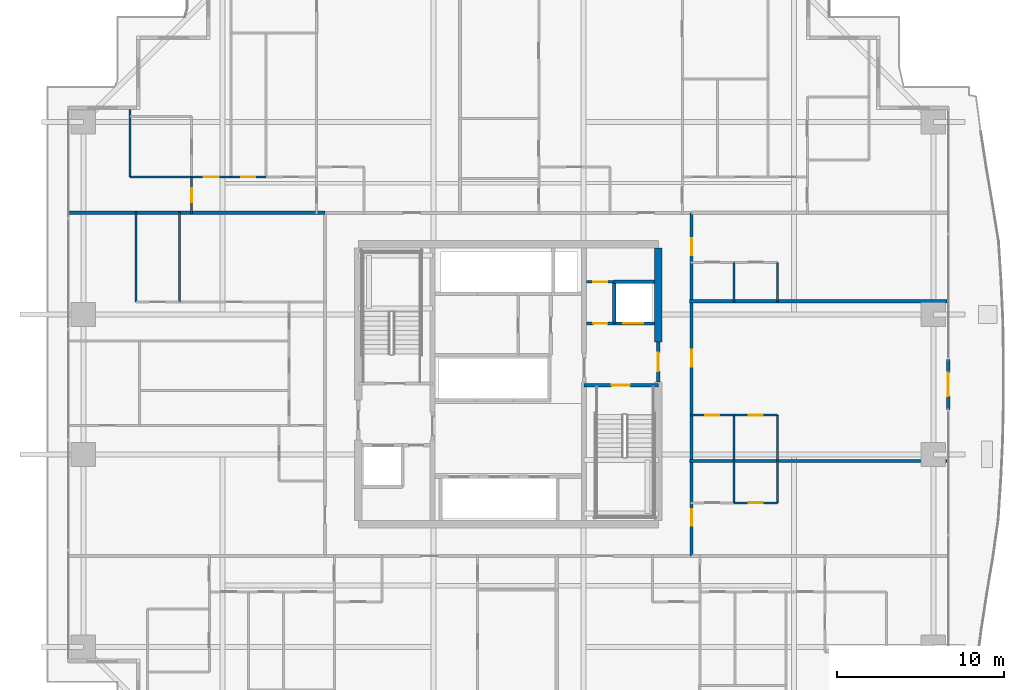
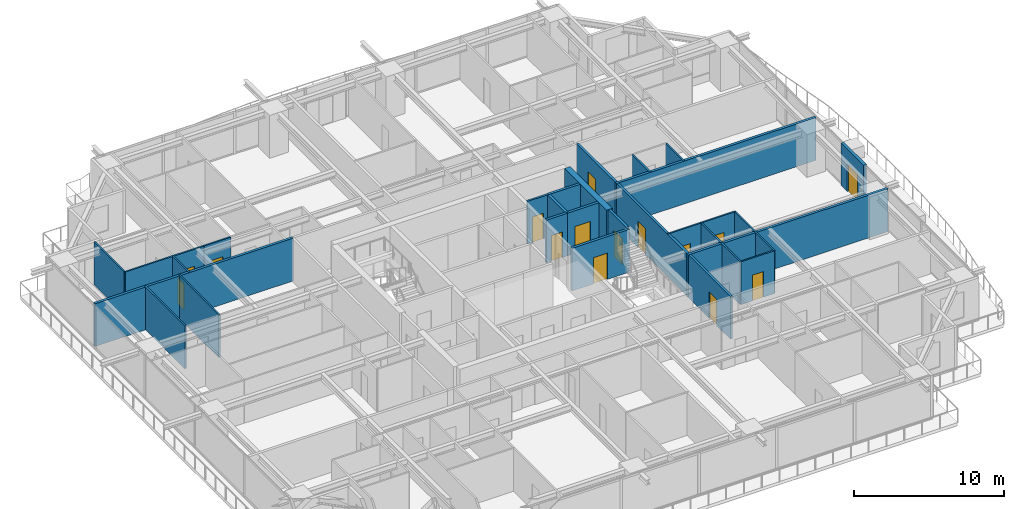
# One storey, part 30 of 38: 29 walls, 15 doors, 15 openings.
"""IFC4 building model written with IfcOpenShell, lengths in metres."""

from ifc_helpers import new_model, si_unit, direction, frame, frame_2d, origin, place, context, subcontext, project, spatial, rectangle, extrude, source, transform, mapped, material, layer, layer_set, type_object, element, fill, save


model = new_model("IFC4")

# Units and contexts
model_context = context("Model", 3, precision=1e-05, world=origin(), true_north=direction((0.0, 1.0)))
body_context = subcontext(model_context, "Body", "Model", "MODEL_VIEW")
ifc_project = project(units=[si_unit("LENGTHUNIT", "METRE"), si_unit("AREAUNIT", "SQUARE_METRE"), si_unit("VOLUMEUNIT", "CUBIC_METRE"), si_unit("PLANEANGLEUNIT", "RADIAN"), si_unit("MASSUNIT", "GRAM", prefix="KILO")], contexts=[model_context])

# Site, building, storey
site_placement = place(None, origin())
site = spatial("IfcSite", under=ifc_project, at=site_placement, CompositionType="ELEMENT")
building_placement = place(site_placement, origin())
building = spatial("IfcBuilding", under=site, at=building_placement, Name="Serunith Strait Residences", CompositionType="ELEMENT")
storey_placement = place(building_placement, frame((0.0, 0.0, 82.949951171875)))
storey = spatial("IfcBuildingStorey", under=building, at=storey_placement, Name="L20", CompositionType="ELEMENT", Elevation=82.949951171875)

# Wall, opening, door
ifc_material_1 = material(Name="Pale-Champagne Aluminium Insulated Panel", Category="aluminium")
ifc_layer_1 = layer(ifc_material_1, 0.219970703125, Name="Pale-Champagne Aluminium Insulated Panel")
ifc_layer_set_1 = layer_set([ifc_layer_1], Name="Pale-Champagne Aluminium Insulated Panel")
wall_type_1 = type_object("IfcWallType", Name="EW-ALUM-220", PredefinedType="ELEMENTEDWALL", material=ifc_layer_set_1)
wall_1_placement = place(storey_placement, frame((58.800048828125, 23.699951171875, 0.0), z_axis=(0.0, 0.0, 1.0), x_axis=(0.0, 1.0, 0.0)))
wall_1 = element("IfcWall", 1, at=wall_1_placement, inside=storey, type_object=wall_type_1, Name="L20 E Facade Pier Wall", PredefinedType="ELEMENTEDWALL", context=body_context, shape_type="SweptSolid", body=[
    extrude(rectangle(XDim=3.0, YDim=0.219970703125, at=frame_2d((1.5, 0.0))), origin(), (0.0, 0.0, 1.0), 3.47509765625),
])
opening_1_placement = place(wall_1_placement, frame((0.800048828125, 0.0, 0.0)))
opening_1 = element("IfcOpeningElement", 2, at=opening_1_placement, cuts=wall_1, Name="Opening ED-04", PredefinedType="OPENING", context=body_context, shape_type="SweptSolid", body=[
    extrude(rectangle(XDim=1.39990234375, YDim=2.25, at=frame_2d((0.699951171875, 1.125))), frame((0.0, 0.1201171875, 0.0), z_axis=(0.0, -1.0, 0.0), x_axis=(1.0, 0.0, 0.0)), (0.0, 0.0, 1.0), 0.239990234375),
])
ifc_material_2 = material(Name="Thermally-Broken Aluminium Sliding Balcony Door", Category="aluminium")
door_type_1 = type_object("IfcDoorType", Name="ED-BALC-1400", OperationType="NOTDEFINED", PredefinedType="DOOR", material=ifc_material_2)
shared_shape_1 = source(origin(), body_context, "Body", "SweptSolid", [
    extrude(rectangle(XDim=1.39990234375, YDim=2.25, at=frame_2d((0.699951171875, 1.125))), frame((0.0, 0.02490234375, 0.0), z_axis=(0.0, -1.0, 0.0), x_axis=(1.0, 0.0, 0.0)), (0.0, 0.0, 1.0), 0.050048828125),
])
door_1_placement = place(opening_1_placement, origin())
door_1 = element("IfcDoor", 3, at=door_1_placement, inside=storey, type_object=door_type_1, Name="L20 E Vertical-Forest Balcony Door", OperationType="SLIDING_TO_LEFT", OverallHeight=2.25, OverallWidth=1.39990234375, PredefinedType="DOOR", context=body_context, shape_type="MappedRepresentation", body=[
    mapped(shared_shape_1, transform((0.0, 0.0, 0.0), scale=1.0)),
])
fill(opening_1, door_1)

ifc_material_3 = material(Name="Fire-rated masonry service closet wall", Category="masonry")
ifc_layer_2 = layer(ifc_material_3, 0.14990234375, Name="Fire-rated masonry service closet wall")
ifc_layer_set_2 = layer_set([ifc_layer_2], Name="Fire-rated masonry service closet wall")
wall_type_2 = type_object("IfcWallType", Name="IW-BOH-150", PredefinedType="PARTITIONING", material=ifc_layer_set_2)
wall_2_placement = place(storey_placement, frame((37.10009765625, 31.35009765625, 0.0), z_axis=(0.0, 0.0, 1.0), x_axis=(1.0, 0.0, 0.0)))
wall_2 = element("IfcWall", 4, at=wall_2_placement, inside=storey, type_object=wall_type_2, Name="L20 Partition Wall 012", PredefinedType="PARTITIONING", context=body_context, shape_type="SweptSolid", body=[
    extrude(rectangle(XDim=1.64794921875, YDim=0.14990234375, at=frame_2d((0.823974609375, 0.0))), origin(), (0.0, 0.0, 1.0), 3.489990234375),
])
opening_2_placement = place(wall_2_placement, frame((0.39892578125, 0.0, 0.0)))
opening_2 = element("IfcOpeningElement", 5, at=opening_2_placement, cuts=wall_2, Name="Opening FD-850", PredefinedType="OPENING", context=body_context, shape_type="SweptSolid", body=[
    extrude(rectangle(XDim=0.85009765625, YDim=2.10009765625, at=frame_2d((0.425048828125, 1.050048828125))), frame((0.0, 0.0849609375, 0.0), z_axis=(0.0, -1.0, 0.0), x_axis=(1.0, 0.0, 0.0)), (0.0, 0.0, 1.0), 0.169921875),
])
ifc_material_4 = material(Name="Powder-coated steel service closet door", Category="steel")
door_type_2 = type_object("IfcDoorType", Name="FD-BOH-850", OperationType="NOTDEFINED", PredefinedType="DOOR", material=ifc_material_4)
shared_shape_2 = source(origin(), body_context, "Body", "SweptSolid", [
    extrude(rectangle(XDim=0.85009765625, YDim=2.10009765625, at=frame_2d((0.425048828125, 1.050048828125))), frame((0.0, 0.02490234375, 0.0), z_axis=(0.0, -1.0, 0.0), x_axis=(1.0, 0.0, 0.0)), (0.0, 0.0, 1.0), 0.050048828125),
])
door_2_placement = place(opening_2_placement, origin())
door_2 = element("IfcDoor", 6, at=door_2_placement, inside=storey, type_object=door_type_2, Name="L20 Spare Parts Store Door", OperationType="SINGLE_SWING_RIGHT", OverallHeight=2.10009765625, OverallWidth=0.85009765625, PredefinedType="DOOR", context=body_context, shape_type="MappedRepresentation", body=[
    mapped(shared_shape_2, transform((0.0, 0.0, 0.0), scale=1.0)),
])
fill(opening_2, door_2)

# Wall, openings, doors
ifc_material_5 = material(Name="Fire-rated acoustic gypsum partition")
ifc_layer_3 = layer(ifc_material_5, 0.179931640625, Name="Fire-rated acoustic gypsum partition")
ifc_layer_set_3 = layer_set([ifc_layer_3], Name="Fire-rated acoustic gypsum partition")
wall_type_3 = type_object("IfcWallType", Name="IW-CORR-180", PredefinedType="PARTITIONING", material=ifc_layer_set_3)
wall_3_placement = place(storey_placement, frame((43.39990234375, 14.89990234375, 0.0), z_axis=(0.0, 0.0, 1.0), x_axis=(0.0, 1.0, 0.0)))
wall_3 = element("IfcWall", 7, at=wall_3_placement, inside=storey, type_object=wall_type_3, Name="L20 Partition Wall 026", PredefinedType="PARTITIONING", context=body_context, shape_type="SweptSolid", body=[
    extrude(rectangle(XDim=20.60009765625, YDim=0.179931640625, at=frame_2d((10.300048828125, 0.0))), origin(), (0.0, 0.0, 1.0), 3.489990234375),
])
opening_3_placement = place(wall_3_placement, frame((1.820068359375, 0.0, 0.0)))
opening_3 = element("IfcOpeningElement", 8, at=opening_3_placement, cuts=wall_3, Name="Opening D-APT1000", PredefinedType="OPENING", context=body_context, shape_type="SweptSolid", body=[
    extrude(rectangle(XDim=1.0, YDim=2.14990234375, at=frame_2d((0.5, 1.074951171875))), frame((0.0, 0.10009765625, 0.0), z_axis=(0.0, -1.0, 0.0), x_axis=(1.0, 0.0, 0.0)), (0.0, 0.0, 1.0), 0.199951171875),
])
opening_4_placement = place(wall_3_placement, frame((11.367919921875, 0.0, 0.0)))
opening_4 = element("IfcOpeningElement", 9, at=opening_4_placement, cuts=wall_3, Name="Opening D-APT1000", PredefinedType="OPENING", context=body_context, shape_type="SweptSolid", body=[
    extrude(rectangle(XDim=1.0, YDim=2.14990234375, at=frame_2d((0.5, 1.074951171875))), frame((0.0, 0.10009765625, 0.0), z_axis=(0.0, -1.0, 0.0), x_axis=(1.0, 0.0, 0.0)), (0.0, 0.0, 1.0), 0.199951171875),
])
opening_5_placement = place(wall_3_placement, frame((18.06005859375, 0.0, 0.0)))
opening_5 = element("IfcOpeningElement", 10, at=opening_5_placement, cuts=wall_3, Name="Opening D-APT1000", PredefinedType="OPENING", context=body_context, shape_type="SweptSolid", body=[
    extrude(rectangle(XDim=1.0, YDim=2.14990234375, at=frame_2d((0.5, 1.074951171875))), frame((0.0, 0.10009765625, 0.0), z_axis=(0.0, -1.0, 0.0), x_axis=(1.0, 0.0, 0.0)), (0.0, 0.0, 1.0), 0.199951171875),
])
ifc_material_6 = material(Name="Solid timber engineered fire door", Category="wood")
door_type_3 = type_object("IfcDoorType", Name="ID-APT-1000", OperationType="NOTDEFINED", PredefinedType="DOOR", material=ifc_material_6)
shared_shape_3 = source(origin(), body_context, "Body", "SweptSolid", [
    extrude(rectangle(XDim=1.0, YDim=2.14990234375, at=frame_2d((0.5, 1.074951171875))), frame((0.0, 0.02490234375, 0.0), z_axis=(0.0, -1.0, 0.0), x_axis=(1.0, 0.0, 0.0)), (0.0, 0.0, 1.0), 0.050048828125),
])
door_3_placement = place(opening_3_placement, origin())
door_3 = element("IfcDoor", 11, at=door_3_placement, inside=storey, type_object=door_type_3, Name="L20 Unit 06 Entrance Door", OperationType="SINGLE_SWING_RIGHT", OverallHeight=2.14990234375, OverallWidth=1.0, PredefinedType="DOOR", context=body_context, shape_type="MappedRepresentation", body=[
    mapped(shared_shape_3, transform((0.0, 0.0, 0.0), scale=1.0)),
])
fill(opening_3, door_3)
door_4_placement = place(opening_4_placement, origin())
door_4 = element("IfcDoor", 12, at=door_4_placement, inside=storey, type_object=door_type_3, Name="L20 Unit 07 Entrance Door", OperationType="SINGLE_SWING_LEFT", OverallHeight=2.14990234375, OverallWidth=1.0, PredefinedType="DOOR", context=body_context, shape_type="MappedRepresentation", body=[
    mapped(shared_shape_3, transform((0.0, 0.0, 0.0), scale=1.0)),
])
fill(opening_4, door_4)
door_5_placement = place(opening_5_placement, origin())
door_5 = element("IfcDoor", 13, at=door_5_placement, inside=storey, type_object=door_type_3, Name="L20 Unit 08 Entrance Door", OperationType="SINGLE_SWING_RIGHT", OverallHeight=2.14990234375, OverallWidth=1.0, PredefinedType="DOOR", context=body_context, shape_type="MappedRepresentation", body=[
    mapped(shared_shape_3, transform((0.0, 0.0, 0.0), scale=1.0)),
])
fill(opening_5, door_5)

# Wall, opening, door
ifc_material_7 = material(Name="Lightweight steel-stud gypsum partition", Category="steel")
ifc_layer_4 = layer(ifc_material_7, 0.1201171875, Name="Lightweight steel-stud gypsum partition")
ifc_layer_set_4 = layer_set([ifc_layer_4], Name="Lightweight steel-stud gypsum partition")
wall_type_4 = type_object("IfcWallType", Name="IW-PART-120", PredefinedType="PARTITIONING", material=ifc_layer_set_4)
wall_4_placement = place(storey_placement, frame((15.75, 37.64990234375, 0.0), z_axis=(0.0, 0.0, 1.0), x_axis=(1.0, 0.0, 0.0)))
wall_4 = element("IfcWall", 14, at=wall_4_placement, inside=storey, type_object=wall_type_4, Name="L20 Partition Wall 073", PredefinedType="PARTITIONING", context=body_context, shape_type="SweptSolid", body=[
    extrude(rectangle(XDim=2.10009765625, YDim=0.1201171875, at=frame_2d((1.050048828125, 0.0))), origin(), (0.0, 0.0, 1.0), 3.489990234375),
])
opening_6_placement = place(wall_4_placement, frame((0.625, 0.0, 0.0)))
opening_6 = element("IfcOpeningElement", 15, at=opening_6_placement, cuts=wall_4, Name="Opening D-BTH850", PredefinedType="OPENING", context=body_context, shape_type="SweptSolid", body=[
    extrude(rectangle(XDim=0.85009765625, YDim=2.10009765625, at=frame_2d((0.425048828125, 1.050048828125))), frame((0.0, 0.070068359375, 0.0), z_axis=(0.0, -1.0, 0.0), x_axis=(1.0, 0.0, 0.0)), (0.0, 0.0, 1.0), 0.14013671875),
])
ifc_material_8 = material(Name="Moisture-resistant timber bathroom door", Category="wood")
door_type_4 = type_object("IfcDoorType", Name="ID-BATH-850", OperationType="NOTDEFINED", PredefinedType="DOOR", material=ifc_material_8)
door_6_placement = place(opening_6_placement, origin())
door_6 = element("IfcDoor", 16, at=door_6_placement, inside=storey, type_object=door_type_4, Name="L20 Bathroom 2003 Door", OperationType="SINGLE_SWING_LEFT", OverallHeight=2.10009765625, OverallWidth=0.85009765625, PredefinedType="DOOR", context=body_context, shape_type="MappedRepresentation", body=[
    mapped(shared_shape_2, transform((0.0, 0.0, 0.0), scale=1.0)),
])
fill(opening_6, door_6)

wall_5_placement = place(storey_placement, frame((13.39990234375, 37.64990234375, 0.0), z_axis=(0.0, 0.0, 1.0), x_axis=(1.0, 0.0, 0.0)))
wall_5 = element("IfcWall", 17, at=wall_5_placement, inside=storey, type_object=wall_type_4, Name="L20 Partition Wall 075", PredefinedType="PARTITIONING", context=body_context, shape_type="SweptSolid", body=[
    extrude(rectangle(XDim=2.34814453125, YDim=0.1201171875, at=frame_2d((1.174072265625, 0.0))), origin(), (0.0, 0.0, 1.0), 3.489990234375),
])
opening_7_placement = place(wall_5_placement, frame((0.72412109375, 0.0, 0.0)))
opening_7 = element("IfcOpeningElement", 18, at=opening_7_placement, cuts=wall_5, Name="Opening D-RM900", PredefinedType="OPENING", context=body_context, shape_type="SweptSolid", body=[
    extrude(rectangle(XDim=0.89990234375, YDim=2.10009765625, at=frame_2d((0.449951171875, 1.050048828125))), frame((0.0, 0.070068359375, 0.0), z_axis=(0.0, -1.0, 0.0), x_axis=(1.0, 0.0, 0.0)), (0.0, 0.0, 1.0), 0.14013671875),
])
ifc_material_9 = material(Name="Engineered timber flush bedroom door", Category="wood")
door_type_5 = type_object("IfcDoorType", Name="ID-ROOM-900", OperationType="NOTDEFINED", PredefinedType="DOOR", material=ifc_material_9)
shared_shape_4 = source(origin(), body_context, "Body", "SweptSolid", [
    extrude(rectangle(XDim=0.89990234375, YDim=2.10009765625, at=frame_2d((0.449951171875, 1.050048828125))), frame((0.0, 0.02490234375, 0.0), z_axis=(0.0, -1.0, 0.0), x_axis=(1.0, 0.0, 0.0)), (0.0, 0.0, 1.0), 0.050048828125),
])
door_7_placement = place(opening_7_placement, origin())
door_7 = element("IfcDoor", 19, at=door_7_placement, inside=storey, type_object=door_type_5, Name="L20 Master Bedroom W 2003 Door", OperationType="SINGLE_SWING_LEFT", OverallHeight=2.10009765625, OverallWidth=0.89990234375, PredefinedType="DOOR", context=body_context, shape_type="MappedRepresentation", body=[
    mapped(shared_shape_4, transform((0.0, 0.0, 0.0), scale=1.0)),
])
fill(opening_7, door_7)

# Walls
wall_6_placement = place(storey_placement, frame((9.699951171875, 41.705078125, 0.0), z_axis=(0.0, 0.0, 1.0), x_axis=(0.0, -1.0, 0.0)))
element("IfcWall", 20, at=wall_6_placement, inside=storey, type_object=wall_type_4, Name="L20 Partition Wall 077", PredefinedType="PARTITIONING", context=body_context, shape_type="SweptSolid", body=[
    extrude(rectangle(XDim=4.05517578125, YDim=0.1201171875, at=frame_2d((2.027587890625, 0.0))), origin(), (0.0, 0.0, 1.0), 3.489990234375),
])
wall_7_placement = place(storey_placement, frame((9.699951171875, 37.64990234375, 0.0), z_axis=(0.0, 0.0, 1.0), x_axis=(1.0, 0.0, 0.0)))
element("IfcWall", 21, at=wall_7_placement, inside=storey, type_object=wall_type_4, Name="L20 Partition Wall 078", PredefinedType="PARTITIONING", context=body_context, shape_type="SweptSolid", body=[
    extrude(rectangle(XDim=3.697998046875, YDim=0.1201171875, at=frame_2d((1.84912109375, 0.0))), origin(), (0.0, 0.0, 1.0), 3.489990234375),
])

# Wall, opening, door
wall_8_placement = place(storey_placement, frame((13.39990234375, 37.64794921875, 0.0), z_axis=(0.0, 0.0, 1.0), x_axis=(0.0, -1.0, 0.0)))
wall_8 = element("IfcWall", 22, at=wall_8_placement, inside=storey, type_object=wall_type_4, Name="L20 Partition Wall 080", PredefinedType="PARTITIONING", context=body_context, shape_type="SweptSolid", body=[
    extrude(rectangle(XDim=2.2080078125, YDim=0.1201171875, at=frame_2d((1.10400390625, 0.0))), origin(), (0.0, 0.0, 1.0), 3.489990234375),
])
opening_8_placement = place(wall_8_placement, frame((0.678955078125, 0.0, 0.0)))
opening_8 = element("IfcOpeningElement", 23, at=opening_8_placement, cuts=wall_8, Name="Opening D-RM850", PredefinedType="OPENING", context=body_context, shape_type="SweptSolid", body=[
    extrude(rectangle(XDim=0.85009765625, YDim=2.10009765625, at=frame_2d((0.425048828125, 1.050048828125))), frame((0.0, 0.070068359375, 0.0), z_axis=(0.0, -1.0, 0.0), x_axis=(1.0, 0.0, 0.0)), (0.0, 0.0, 1.0), 0.14013671875),
])
ifc_material_10 = material(Name="Engineered timber flush study and kitchen door", Category="wood")
door_type_6 = type_object("IfcDoorType", Name="ID-ROOM-850", OperationType="NOTDEFINED", PredefinedType="DOOR", material=ifc_material_10)
door_8_placement = place(opening_8_placement, origin())
door_8 = element("IfcDoor", 24, at=door_8_placement, inside=storey, type_object=door_type_6, Name="L20 Wardrobe W 2003 Door", OperationType="SINGLE_SWING_LEFT", OverallHeight=2.10009765625, OverallWidth=0.85009765625, PredefinedType="DOOR", context=body_context, shape_type="MappedRepresentation", body=[
    mapped(shared_shape_2, transform((0.0, 0.0, 0.0), scale=1.0)),
])
fill(opening_8, door_8)

# Walls
for number, where, z_axis, x_axis, name in (
    (25, (10.050048828125, 30.14990234375, 0.0), (0.0, 0.0, 1.0), (0.0, 1.0, 0.0), "L20 Partition Wall 114"),
    (26, (12.6669921875, 30.14990234375, 0.0), (0.0, 0.0, 1.0), (0.0, 1.0, 0.0), "L20 Partition Wall 115"),
):
    element("IfcWall", number, at=place(storey_placement, frame(where, z_axis=z_axis, x_axis=x_axis)), inside=storey, type_object=wall_type_4, Name=name, PredefinedType="PARTITIONING", context=body_context, shape_type="SweptSolid", body=[
        extrude(rectangle(XDim=5.41015625, YDim=0.1201171875, at=frame_2d((2.705078125, 0.0))), origin(), (0.0, 0.0, 1.0), 3.489990234375),
    ])

# Wall, opening, door
wall_9_placement = place(storey_placement, frame((48.550048828125, 18.090087890625, 0.0), z_axis=(0.0, 0.0, 1.0), x_axis=(-1.0, 0.0, 0.0)))
wall_9 = element("IfcWall", 27, at=wall_9_placement, inside=storey, type_object=wall_type_4, Name="L20 Partition Wall 119", PredefinedType="PARTITIONING", context=body_context, shape_type="SweptSolid", body=[
    extrude(rectangle(XDim=2.60009765625, YDim=0.1201171875, at=frame_2d((1.300048828125, 0.0))), origin(), (0.0, 0.0, 1.0), 3.489990234375),
])
opening_9_placement = place(wall_9_placement, frame((0.875, 0.0, 0.0)))
opening_9 = element("IfcOpeningElement", 28, at=opening_9_placement, cuts=wall_9, Name="Opening D-RM850", PredefinedType="OPENING", context=body_context, shape_type="SweptSolid", body=[
    extrude(rectangle(XDim=0.85009765625, YDim=2.10009765625, at=frame_2d((0.425048828125, 1.050048828125))), frame((0.0, 0.070068359375, 0.0), z_axis=(0.0, -1.0, 0.0), x_axis=(1.0, 0.0, 0.0)), (0.0, 0.0, 1.0), 0.14013671875),
])
door_9_placement = place(opening_9_placement, origin())
door_9 = element("IfcDoor", 29, at=door_9_placement, inside=storey, type_object=door_type_6, Name="L20 Kitchen 2006 Door", OperationType="SINGLE_SWING_LEFT", OverallHeight=2.10009765625, OverallWidth=0.85009765625, PredefinedType="DOOR", context=body_context, shape_type="MappedRepresentation", body=[
    mapped(shared_shape_2, transform((0.0, 0.0, 0.0), scale=1.0)),
])
fill(opening_9, door_9)

# Walls
for number, where, z_axis, x_axis, name in (
    (30, (45.949951171875, 18.090087890625, 0.0), (0.0, 0.0, 1.0), (0.0, 1.0, 0.0), "L20 Partition Wall 121"),
    (31, (48.550048828125, 18.090087890625, 0.0), (0.0, 0.0, 1.0), (0.0, 1.0, 0.0), "L20 Partition Wall 122"),
):
    element("IfcWall", number, at=place(storey_placement, frame(where, z_axis=z_axis, x_axis=x_axis)), inside=storey, type_object=wall_type_4, Name=name, PredefinedType="PARTITIONING", context=body_context, shape_type="SweptSolid", body=[
        extrude(rectangle(XDim=2.56982421875, YDim=0.1201171875, at=frame_2d((1.284912109375, 0.0))), origin(), (0.0, 0.0, 1.0), 3.489990234375),
    ])

# Wall, opening, door
wall_10_placement = place(storey_placement, frame((48.550048828125, 23.35009765625, 0.0), z_axis=(0.0, 0.0, 1.0), x_axis=(-1.0, 0.0, 0.0)))
wall_10 = element("IfcWall", 32, at=wall_10_placement, inside=storey, type_object=wall_type_4, Name="L20 Partition Wall 123", PredefinedType="PARTITIONING", context=body_context, shape_type="SweptSolid", body=[
    extrude(rectangle(XDim=2.60009765625, YDim=0.1201171875, at=frame_2d((1.300048828125, 0.0))), origin(), (0.0, 0.0, 1.0), 3.489990234375),
])
opening_10_placement = place(wall_10_placement, frame((0.875, 0.0, 0.0)))
opening_10 = element("IfcOpeningElement", 33, at=opening_10_placement, cuts=wall_10, Name="Opening D-RM850", PredefinedType="OPENING", context=body_context, shape_type="SweptSolid", body=[
    extrude(rectangle(XDim=0.85009765625, YDim=2.10009765625, at=frame_2d((0.425048828125, 1.050048828125))), frame((0.0, 0.070068359375, 0.0), z_axis=(0.0, -1.0, 0.0), x_axis=(1.0, 0.0, 0.0)), (0.0, 0.0, 1.0), 0.14013671875),
])
door_10_placement = place(opening_10_placement, origin())
door_10 = element("IfcDoor", 34, at=door_10_placement, inside=storey, type_object=door_type_6, Name="L20 Kitchen 2007 Door", OperationType="SINGLE_SWING_LEFT", OverallHeight=2.10009765625, OverallWidth=0.85009765625, PredefinedType="DOOR", context=body_context, shape_type="MappedRepresentation", body=[
    mapped(shared_shape_2, transform((0.0, 0.0, 0.0), scale=1.0)),
])
fill(opening_10, door_10)

wall_11_placement = place(storey_placement, frame((45.947998046875, 23.35009765625, 0.0), z_axis=(0.0, 0.0, 1.0), x_axis=(-1.0, 0.0, 0.0)))
wall_11 = element("IfcWall", 35, at=wall_11_placement, inside=storey, type_object=wall_type_4, Name="L20 Partition Wall 124", PredefinedType="PARTITIONING", context=body_context, shape_type="SweptSolid", body=[
    extrude(rectangle(XDim=2.60791015625, YDim=0.1201171875, at=frame_2d((1.303955078125, 0.0))), origin(), (0.0, 0.0, 1.0), 3.489990234375),
])
opening_11_placement = place(wall_11_placement, frame((0.87890625, 0.0, 0.0)))
opening_11 = element("IfcOpeningElement", 36, at=opening_11_placement, cuts=wall_11, Name="Opening D-BTH850", PredefinedType="OPENING", context=body_context, shape_type="SweptSolid", body=[
    extrude(rectangle(XDim=0.85009765625, YDim=2.10009765625, at=frame_2d((0.425048828125, 1.050048828125))), frame((0.0, 0.070068359375, 0.0), z_axis=(0.0, -1.0, 0.0), x_axis=(1.0, 0.0, 0.0)), (0.0, 0.0, 1.0), 0.14013671875),
])
door_11_placement = place(opening_11_placement, origin())
door_11 = element("IfcDoor", 37, at=door_11_placement, inside=storey, type_object=door_type_4, Name="L20 Bathroom 2007 Door", OperationType="SINGLE_SWING_RIGHT", OverallHeight=2.10009765625, OverallWidth=0.85009765625, PredefinedType="DOOR", context=body_context, shape_type="MappedRepresentation", body=[
    mapped(shared_shape_2, transform((0.0, 0.0, 0.0), scale=1.0)),
])
fill(opening_11, door_11)

# Walls
for number, where, z_axis, x_axis, name in (
    (38, (45.949951171875, 20.662109375, 0.0), (0.0, 0.0, 1.0), (0.0, 1.0, 0.0), "L20 Partition Wall 125"),
    (39, (48.550048828125, 20.662109375, 0.0), (0.0, 0.0, 1.0), (0.0, 1.0, 0.0), "L20 Partition Wall 126"),
):
    element("IfcWall", number, at=place(storey_placement, frame(where, z_axis=z_axis, x_axis=x_axis)), inside=storey, type_object=wall_type_4, Name=name, PredefinedType="PARTITIONING", context=body_context, shape_type="SweptSolid", body=[
        extrude(rectangle(XDim=2.68798828125, YDim=0.1201171875, at=frame_2d((1.343994140625, 0.0))), origin(), (0.0, 0.0, 1.0), 3.489990234375),
    ])
for number, where, z_axis, x_axis, name in (
    (40, (45.949951171875, 30.139892578125, 0.0), (0.0, 0.0, 1.0), (0.0, 1.0, 0.0), "L20 Partition Wall 129"),
    (41, (48.550048828125, 30.139892578125, 0.0), (0.0, 0.0, 1.0), (0.0, 1.0, 0.0), "L20 Partition Wall 130"),
):
    element("IfcWall", number, at=place(storey_placement, frame(where, z_axis=z_axis, x_axis=x_axis)), inside=storey, type_object=wall_type_4, Name=name, PredefinedType="PARTITIONING", context=body_context, shape_type="SweptSolid", body=[
        extrude(rectangle(XDim=2.39013671875, YDim=0.1201171875, at=frame_2d((1.195068359375, 0.0))), origin(), (0.0, 0.0, 1.0), 3.489990234375),
    ])
ifc_material_11 = material(Name="Twin-stud acoustic gypsum board partition")
ifc_layer_5 = layer(ifc_material_11, 0.199951171875, Name="Twin-stud acoustic gypsum board partition")
ifc_layer_set_5 = layer_set([ifc_layer_5], Name="Twin-stud acoustic gypsum board partition")
wall_type_5 = type_object("IfcWallType", Name="IW-PARTY-200", PredefinedType="PARTITIONING", material=ifc_layer_set_5)
for number, where, z_axis, x_axis, name in (
    (42, (43.280029296875, 20.60009765625, 0.0), (0.0, 0.0, 1.0), (1.0, 0.0, 0.0), "L20 Partition Wall 017"),
    (43, (43.280029296875, 30.199951171875, 0.0), (0.0, 0.0, 1.0), (1.0, 0.0, 0.0), "L20 Partition Wall 018"),
):
    element("IfcWall", number, at=place(storey_placement, frame(where, z_axis=z_axis, x_axis=x_axis)), inside=storey, type_object=wall_type_5, Name=name, PredefinedType="PARTITIONING", context=body_context, shape_type="SweptSolid", body=[
        extrude(rectangle(XDim=15.43798828125, YDim=0.199951171875, at=frame_2d((7.718994140625, 0.0))), origin(), (0.0, 0.0, 1.0), 3.489990234375),
    ])
wall_12_placement = place(storey_placement, frame((6.08203125, 35.5, 0.0), z_axis=(0.0, 0.0, 1.0), x_axis=(1.0, 0.0, 0.0)))
element("IfcWall", 44, at=wall_12_placement, inside=storey, type_object=wall_type_5, Name="L20 Partition Wall 021", PredefinedType="PARTITIONING", context=body_context, shape_type="SweptSolid", body=[
    extrude(rectangle(XDim=15.31787109375, YDim=0.199951171875, at=frame_2d((7.658935546875, 0.0))), origin(), (0.0, 0.0, 1.0), 3.489990234375),
])

# Wall, opening, door
ifc_material_12 = material(Name="Autoclaved aerated concrete blockwork", Category="masonry")
ifc_layer_6 = layer(ifc_material_12, 0.199951171875, Name="Autoclaved aerated concrete blockwork")
ifc_layer_set_6 = layer_set([ifc_layer_6], Name="Autoclaved aerated concrete blockwork")
wall_type_6 = type_object("IfcWallType", Name="IW-SHAFT-200", PredefinedType="STANDARD", material=ifc_layer_set_6)
wall_13_placement = place(storey_placement, frame((36.949951171875, 25.14990234375, 0.0), z_axis=(0.0, 0.0, 1.0), x_axis=(1.0, 0.0, 0.0)))
wall_13 = element("IfcWall", 45, at=wall_13_placement, inside=storey, type_object=wall_type_6, Name="L20 ST-2 North Shaft Wall", PredefinedType="STANDARD", context=body_context, shape_type="SweptSolid", body=[
    extrude(rectangle(XDim=4.449951171875, YDim=0.199951171875, at=frame_2d((2.22509765625, 0.0))), origin(), (0.0, 0.0, 1.0), 3.489990234375),
])
opening_12_placement = place(wall_13_placement, frame((1.64990234375, 0.0, 0.0)))
opening_12 = element("IfcOpeningElement", 46, at=opening_12_placement, cuts=wall_13, Name="Opening FD-1100", PredefinedType="OPENING", context=body_context, shape_type="SweptSolid", body=[
    extrude(rectangle(XDim=1.10009765625, YDim=2.14990234375, at=frame_2d((0.550048828125, 1.074951171875))), frame((0.0, 0.10986328125, 0.0), z_axis=(0.0, -1.0, 0.0), x_axis=(1.0, 0.0, 0.0)), (0.0, 0.0, 1.0), 0.219970703125),
])
ifc_material_13 = material(Name="Galvanised steel fire door leaf", Category="steel")
door_type_7 = type_object("IfcDoorType", Name="FD-STAIR-1100", OperationType="NOTDEFINED", PredefinedType="DOOR", material=ifc_material_13)
shared_shape_5 = source(origin(), body_context, "Body", "SweptSolid", [
    extrude(rectangle(XDim=1.10009765625, YDim=2.14990234375, at=frame_2d((0.550048828125, 1.074951171875))), frame((0.0, 0.02490234375, 0.0), z_axis=(0.0, -1.0, 0.0), x_axis=(1.0, 0.0, 0.0)), (0.0, 0.0, 1.0), 0.050048828125),
])
door_12_placement = place(opening_12_placement, origin())
door_12 = element("IfcDoor", 47, at=door_12_placement, inside=storey, type_object=door_type_7, Name="L20 ST-2 Escape Stair Door", OperationType="SINGLE_SWING_LEFT", OverallHeight=2.14990234375, OverallWidth=1.10009765625, PredefinedType="DOOR", context=body_context, shape_type="MappedRepresentation", body=[
    mapped(shared_shape_5, transform((0.0, 0.0, 0.0), scale=1.0)),
])
fill(opening_12, door_12)

wall_14_placement = place(storey_placement, frame((38.75, 28.85009765625, 0.0), z_axis=(0.0, 0.0, 1.0), x_axis=(1.0, 0.0, 0.0)))
wall_14 = element("IfcWall", 48, at=wall_14_placement, inside=storey, type_object=wall_type_6, Name="L20 FL-2 South Shaft Wall", PredefinedType="STANDARD", context=body_context, shape_type="SweptSolid", body=[
    extrude(rectangle(XDim=2.425048828125, YDim=0.199951171875, at=frame_2d((1.21240234375, 0.0))), origin(), (0.0, 0.0, 1.0), 3.489990234375),
])
opening_13_placement = place(wall_14_placement, frame((0.550048828125, 0.0, 0.0)))
opening_13 = element("IfcOpeningElement", 49, at=opening_13_placement, cuts=wall_14, Name="Opening LD-FF1200", PredefinedType="OPENING", context=body_context, shape_type="SweptSolid", body=[
    extrude(rectangle(XDim=1.199951171875, YDim=2.199951171875, at=frame_2d((0.60009765625, 1.10009765625))), frame((0.0, 0.10986328125, 0.0), z_axis=(0.0, -1.0, 0.0), x_axis=(1.0, 0.0, 0.0)), (0.0, 0.0, 1.0), 0.219970703125),
])
ifc_material_14 = material(Name="Brushed stainless steel landing door", Category="steel")
door_type_8 = type_object("IfcDoorType", Name="LD-FF-1200", OperationType="DOUBLE_DOOR_SLIDING", PredefinedType="DOOR", material=ifc_material_14)
shared_shape_6 = source(origin(), body_context, "Body", "SweptSolid", [
    extrude(rectangle(XDim=1.199951171875, YDim=2.199951171875, at=frame_2d((0.60009765625, 1.10009765625))), frame((0.0, 0.02490234375, 0.0), z_axis=(0.0, -1.0, 0.0), x_axis=(1.0, 0.0, 0.0)), (0.0, 0.0, 1.0), 0.050048828125),
])
door_13_placement = place(opening_13_placement, origin())
door_13 = element("IfcDoor", 50, at=door_13_placement, inside=storey, type_object=door_type_8, Name="L20 FL-2 Landing Door", OperationType="DOUBLE_DOOR_SLIDING", OverallHeight=2.199951171875, OverallWidth=1.199951171875, PredefinedType="DOOR", context=body_context, shape_type="MappedRepresentation", body=[
    mapped(shared_shape_6, transform((0.0, 0.0, 0.0), scale=1.0)),
])
fill(opening_13, door_13)

# Walls
wall_15_placement = place(storey_placement, frame((38.75, 28.85009765625, 0.0), z_axis=(0.0, 0.0, 1.0), x_axis=(0.0, 1.0, 0.0)))
element("IfcWall", 51, at=wall_15_placement, inside=storey, type_object=wall_type_6, Name="L20 Partition Wall 004", PredefinedType="STANDARD", context=body_context, shape_type="SweptSolid", body=[
    extrude(rectangle(XDim=2.5, YDim=0.199951171875, at=frame_2d((1.25, 0.0))), origin(), (0.0, 0.0, 1.0), 3.489990234375),
])
wall_16_placement = place(storey_placement, frame((38.75, 31.35009765625, 0.0), z_axis=(0.0, 0.0, 1.0), x_axis=(1.0, 0.0, 0.0)))
element("IfcWall", 52, at=wall_16_placement, inside=storey, type_object=wall_type_6, Name="L20 Partition Wall 005", PredefinedType="STANDARD", context=body_context, shape_type="SweptSolid", body=[
    extrude(rectangle(XDim=2.425048828125, YDim=0.199951171875, at=frame_2d((1.21240234375, 0.0))), origin(), (0.0, 0.0, 1.0), 3.489990234375),
])

# Wall, opening, door
wall_17_placement = place(storey_placement, frame((37.10009765625, 28.85009765625, 0.0), z_axis=(0.0, 0.0, 1.0), x_axis=(1.0, 0.0, 0.0)))
wall_17 = element("IfcWall", 53, at=wall_17_placement, inside=storey, type_object=wall_type_6, Name="L20 Partition Wall 006", PredefinedType="STANDARD", context=body_context, shape_type="SweptSolid", body=[
    extrude(rectangle(XDim=1.64794921875, YDim=0.199951171875, at=frame_2d((0.823974609375, 0.0))), origin(), (0.0, 0.0, 1.0), 3.489990234375),
])
opening_14_placement = place(wall_17_placement, frame((0.39892578125, 0.0, 0.0)))
opening_14 = element("IfcOpeningElement", 54, at=opening_14_placement, cuts=wall_17, Name="Opening FD-850", PredefinedType="OPENING", context=body_context, shape_type="SweptSolid", body=[
    extrude(rectangle(XDim=0.85009765625, YDim=2.10009765625, at=frame_2d((0.425048828125, 1.050048828125))), frame((0.0, 0.10986328125, 0.0), z_axis=(0.0, -1.0, 0.0), x_axis=(1.0, 0.0, 0.0)), (0.0, 0.0, 1.0), 0.219970703125),
])
door_14_placement = place(opening_14_placement, origin())
door_14 = element("IfcDoor", 55, at=door_14_placement, inside=storey, type_object=door_type_2, Name="L20 North-East Core Service Door", OperationType="SINGLE_SWING_LEFT", OverallHeight=2.10009765625, OverallWidth=0.85009765625, PredefinedType="DOOR", context=body_context, shape_type="MappedRepresentation", body=[
    mapped(shared_shape_2, transform((0.0, 0.0, 0.0), scale=1.0)),
])
fill(opening_14, door_14)

wall_18_placement = place(storey_placement, frame((41.39990234375, 25.35205078125, 0.0), z_axis=(0.0, 0.0, 1.0), x_axis=(0.0, 1.0, 0.0)))
wall_18 = element("IfcWall", 56, at=wall_18_placement, inside=storey, type_object=wall_type_6, Name="L20 Partition Wall 008", PredefinedType="STANDARD", context=body_context, shape_type="SweptSolid", body=[
    extrude(rectangle(XDim=2.39599609375, YDim=0.199951171875, at=frame_2d((1.197998046875, 0.0))), origin(), (0.0, 0.0, 1.0), 3.489990234375),
])
opening_15_placement = place(wall_18_placement, frame((0.64794921875, 0.0, 0.0)))
opening_15 = element("IfcOpeningElement", 57, at=opening_15_placement, cuts=wall_18, Name="Opening FD-FFL", PredefinedType="OPENING", context=body_context, shape_type="SweptSolid", body=[
    extrude(rectangle(XDim=1.10009765625, YDim=2.14990234375, at=frame_2d((0.550048828125, 1.074951171875))), frame((0.0, 0.10986328125, 0.0), z_axis=(0.0, -1.0, 0.0), x_axis=(1.0, 0.0, 0.0)), (0.0, 0.0, 1.0), 0.219970703125),
])
ifc_material_15 = material(Name="Glazed steel smoke-lobby fire door", Category="steel")
door_type_9 = type_object("IfcDoorType", Name="FD-FFL-1100", OperationType="NOTDEFINED", PredefinedType="DOOR", material=ifc_material_15)
door_15_placement = place(opening_15_placement, origin())
door_15 = element("IfcDoor", 58, at=door_15_placement, inside=storey, type_object=door_type_9, Name="L20 FFL-2 Corridor Fire Door", OperationType="SINGLE_SWING_LEFT", OverallHeight=2.14990234375, OverallWidth=1.10009765625, PredefinedType="DOOR", context=body_context, shape_type="MappedRepresentation", body=[
    mapped(shared_shape_5, transform((0.0, 0.0, 0.0), scale=1.0)),
])
fill(opening_15, door_15)

# Wall
ifc_material_16 = material(Name="Concrete C80/95", Category="concrete")
ifc_layer_7 = layer(ifc_material_16, 0.449951171875, Name="Concrete C80/95")
ifc_layer_set_7 = layer_set([ifc_layer_7], Name="Concrete C80/95")
wall_type_7 = type_object("IfcWallType", Name="SW-450-C80", PredefinedType="SHEAR", material=ifc_layer_set_7)
wall_19_placement = place(storey_placement, frame((41.39990234375, 27.75, -0.260009765625), z_axis=(0.0, 0.0, 1.0), x_axis=(0.0, 1.0, 0.0)))
element("IfcWall", 59, at=wall_19_placement, inside=storey, type_object=wall_type_7, Name="L20 Core East Shear Wall North Pier", PredefinedType="SHEAR", context=body_context, shape_type="SweptSolid", body=[
    extrude(rectangle(XDim=5.625, YDim=0.449951171875, at=frame_2d((2.8125, 0.0))), origin(), (0.0, 0.0, 1.0), 3.748046875),
])

save(model, "model.ifc")
